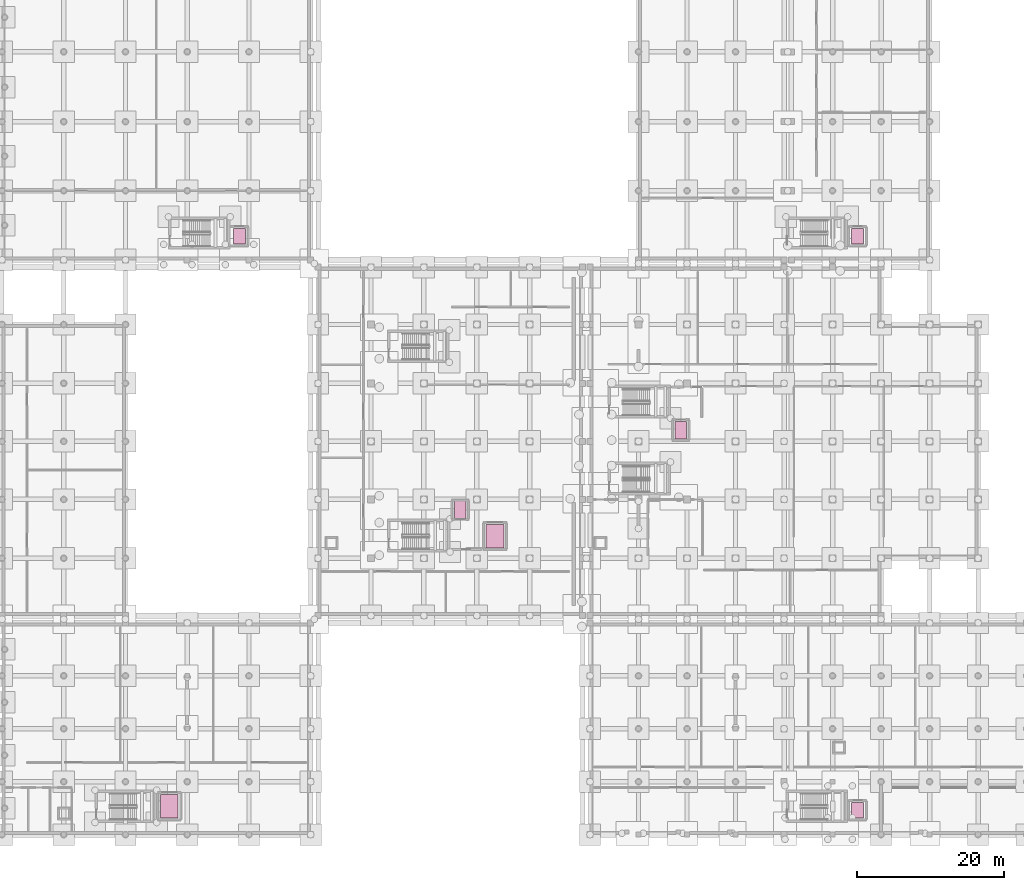
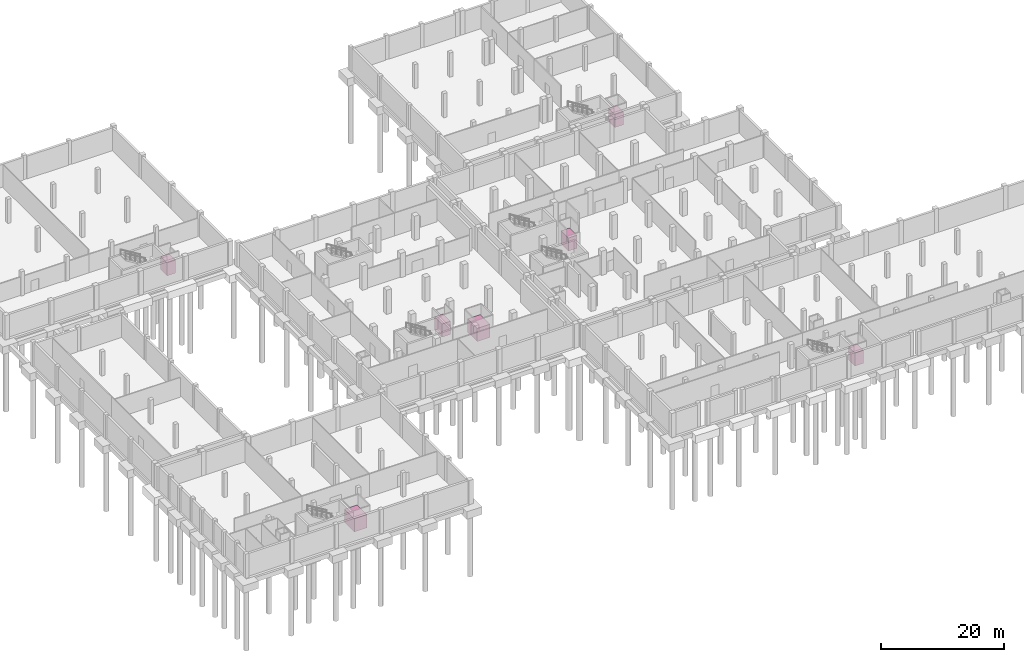
# One storey, part 29 of 29: 7 transport elements.
"""IFC4 building model written with IfcOpenShell, lengths in metres."""

from ifc_helpers import new_model, si_unit, direction, frame, origin, origin_2d, place, context, subcontext, project, spatial, rectangle, extrude, material, type_object, element, save


model = new_model("IFC4")

# Units and contexts
model_context = context("Model", 3, precision=1e-05, world=origin(), true_north=direction((0.0, 1.0)))
body_context = subcontext(model_context, "Body", "Model", "MODEL_VIEW")
ifc_project = project(units=[si_unit("LENGTHUNIT", "METRE"), si_unit("AREAUNIT", "SQUARE_METRE"), si_unit("VOLUMEUNIT", "CUBIC_METRE"), si_unit("PLANEANGLEUNIT", "RADIAN"), si_unit("MASSUNIT", "GRAM", prefix="KILO")], contexts=[model_context])

# Site, building, storey
site_placement = place(None, origin())
site = spatial("IfcSite", under=ifc_project, at=site_placement, CompositionType="ELEMENT")
building_placement = place(site_placement, origin())
building = spatial("IfcBuilding", under=site, at=building_placement, Name="Kelarvand Opera House", CompositionType="ELEMENT")
storey_placement = place(building_placement, frame((0.0, 0.0, -9.60009765625)))
storey = spatial("IfcBuildingStorey", under=building, at=storey_placement, Name="B2", CompositionType="ELEMENT", Elevation=-9.60009765625)

# Transport elements
ifc_material_1 = material(Name="Brushed stainless steel stretcher lift cab", Category="steel")
transport_element_type_1 = type_object("IfcTransportElementType", Name="Auditorium Stretcher and Passenger Lift 2000kg (1600x2400)", PredefinedType="ELEVATOR", material=ifc_material_1)
transport_element_1_placement = place(storey_placement, frame((101.35009765625, 64.02490234375, 0.0), z_axis=(0.0, 0.0, 1.0), x_axis=(1.0, 0.0, 0.0)))
element("IfcTransportElement", 1, at=transport_element_1_placement, inside=storey, type_object=transport_element_type_1, Name="Auditorium Stretcher and Passenger Lift FL-01", PredefinedType="ELEVATOR", context=body_context, shape_type="SweptSolid", body=[
    extrude(rectangle(XDim=1.60009765625, YDim=2.39990234375, at=origin_2d()), origin(), (0.0, 0.0, 1.0), 2.60009765625),
])
ifc_material_2 = material(Name="Fire-protected stainless steel lift cab", Category="steel")
transport_element_type_2 = type_object("IfcTransportElementType", Name="Firefighting and Stretcher Lift 2000kg (1600x2400)", PredefinedType="ELEVATOR", material=ifc_material_2)
transport_element_2_placement = place(storey_placement, frame((71.35009765625, 53.175048828125, 0.0), z_axis=(0.0, 0.0, 1.0), x_axis=(1.0, 0.0, 0.0)))
element("IfcTransportElement", 2, at=transport_element_2_placement, inside=storey, type_object=transport_element_type_2, Name="Firefighting Lift FL-02", PredefinedType="ELEVATOR", context=body_context, shape_type="SweptSolid", body=[
    extrude(rectangle(XDim=1.60009765625, YDim=2.39990234375, at=origin_2d()), origin(), (0.0, 0.0, 1.0), 2.60009765625),
])
ifc_material_3 = material(Name="Brushed stainless steel and bronze lift cab", Category="steel")
transport_element_type_3 = type_object("IfcTransportElementType", Name="Public Passenger Lift 1600kg (1600x2100)", PredefinedType="ELEVATOR", material=ifc_material_3)
for number, where, z_axis, x_axis, name in (
    (3, (41.300048828125, 90.425048828125, 0.0), (0.0, 0.0, 1.0), (1.0, 0.0, 0.0), "Rehearsal Pavilion Passenger Lift PL-03"),
    (4, (125.39990234375, 90.425048828125, 0.0), (0.0, 0.0, 1.0), (1.0, 0.0, 0.0), "Park Foyer Passenger Lift PL-02"),
    (5, (125.39990234375, 12.324951171875, 0.0), (0.0, 0.0, 1.0), (1.0, 0.0, 0.0), "Artists Wing Passenger Lift PL-04"),
):
    element("IfcTransportElement", number, at=place(storey_placement, frame(where, z_axis=z_axis, x_axis=x_axis)), inside=storey, type_object=transport_element_type_3, Name=name, PredefinedType="ELEVATOR", context=body_context, shape_type="SweptSolid", body=[
        extrude(rectangle(XDim=1.60009765625, YDim=2.10009765625, at=origin_2d()), origin(), (0.0, 0.0, 1.0), 2.60009765625),
    ])
ifc_material_4 = material(Name="Heavy-duty checker-plate steel freight lift cab", Category="steel")
transport_element_type_4 = type_object("IfcTransportElementType", Name="Scenery and Grand Piano Goods Lift 4500kg (2400x3200)", PredefinedType="ELEVATOR", material=ifc_material_4)
for number, where, z_axis, x_axis, name in (
    (6, (76.074951171875, 49.625, 0.0), (0.0, 0.0, 1.0), (1.0, 0.0, 0.0), "Stage Scenery Goods Lift GL-01"),
    (7, (31.77490234375, 12.875, 0.0), (0.0, 0.0, 1.0), (1.0, 0.0, 0.0), "Workshop Scenery Goods Lift GL-02"),
):
    element("IfcTransportElement", number, at=place(storey_placement, frame(where, z_axis=z_axis, x_axis=x_axis)), inside=storey, type_object=transport_element_type_4, Name=name, PredefinedType="ELEVATOR", context=body_context, shape_type="SweptSolid", body=[
        extrude(rectangle(XDim=2.39990234375, YDim=3.199951171875, at=origin_2d()), origin(), (0.0, 0.0, 1.0), 2.60009765625),
    ])

save(model, "model.ifc")
